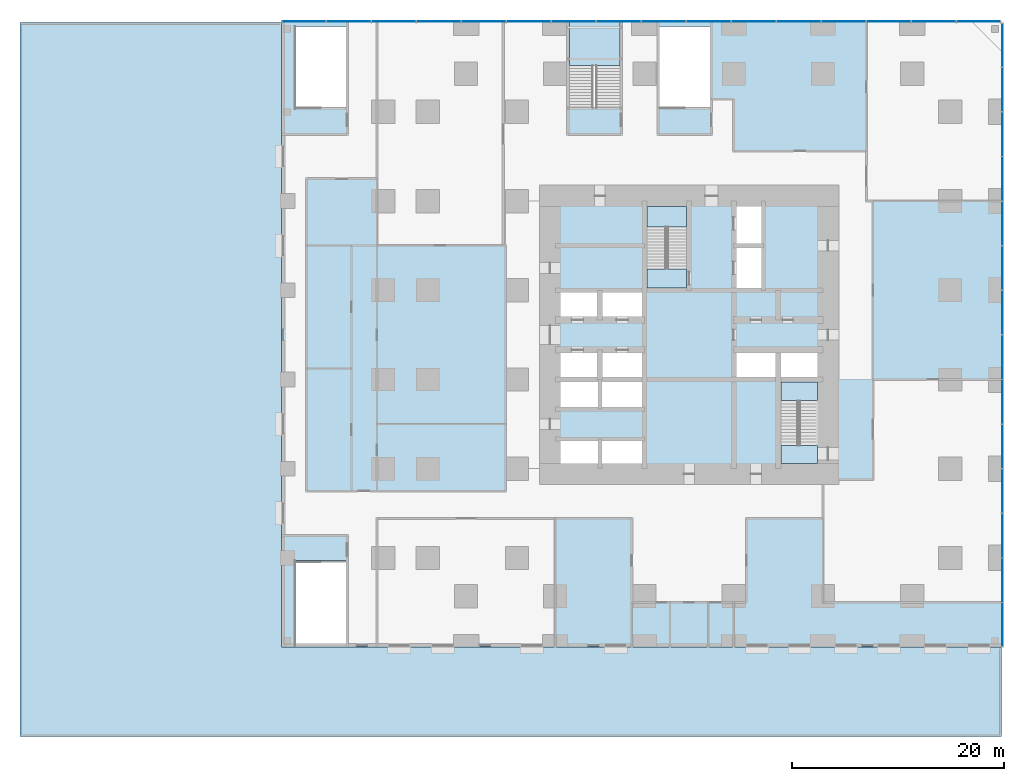
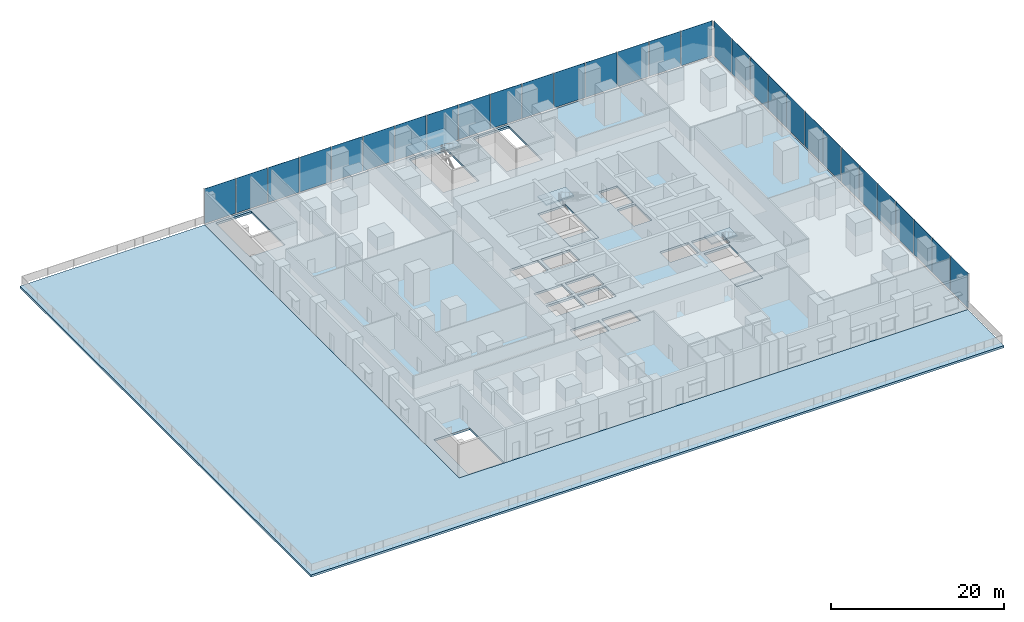
# One storey, part 10 of 18: 30 plates, 7 slabs, 5 elements without a shape of their own.
"""IFC4 building model written with IfcOpenShell, lengths in metres."""

from ifc_helpers import new_model, si_unit, direction, frame, origin, origin_2d, place, context, subcontext, project, spatial, polyline, rectangle, outline, extrude, material, layer, layer_set, type_object, element, aggregate, save


model = new_model("IFC4")

# Units and contexts
model_context = context("Model", 3, precision=1e-05, world=origin(), true_north=direction((0.0, 1.0)))
body_context = subcontext(model_context, "Body", "Model", "MODEL_VIEW")
ifc_project = project(units=[si_unit("LENGTHUNIT", "METRE"), si_unit("AREAUNIT", "SQUARE_METRE"), si_unit("VOLUMEUNIT", "CUBIC_METRE"), si_unit("PLANEANGLEUNIT", "RADIAN"), si_unit("MASSUNIT", "GRAM", prefix="KILO")], contexts=[model_context])

# Site, building, storey
site_placement = place(None, origin())
site = spatial("IfcSite", under=ifc_project, at=site_placement, CompositionType="ELEMENT")
building_placement = place(site_placement, origin())
building = spatial("IfcBuilding", under=site, at=building_placement, Name="Dunama Terrace Hotel", CompositionType="ELEMENT")
storey_placement = place(building_placement, frame((0.0, 0.0, 17.0)))
storey = spatial("IfcBuildingStorey", under=building, at=storey_placement, Name="L03", CompositionType="ELEMENT", Elevation=17.0)

# Curtain wall, plates
ifc_material_1 = material(Name="Aluminium curtain wall system", Category="aluminium")
curtain_wall_type = type_object("IfcCurtainWallType", Name="Podium storefront glazing CW-E", PredefinedType="NOTDEFINED", material=ifc_material_1)
curtain_wall_1_placement = place(storey_placement, origin())
curtain_wall_1 = element("IfcCurtainWall", 1, at=curtain_wall_1_placement, inside=storey, type_object=curtain_wall_type, Name="Podium storefront glazing CW-E L03", PredefinedType="NOTDEFINED")
ifc_material_2 = material(Name="Laminated glass", Category="glass")
ifc_layer_1 = layer(ifc_material_2, 0.033935546875)
ifc_layer_set_1 = layer_set([ifc_layer_1], Name="CWE clear glass panel")
plate_type_1 = type_object("IfcPlateType", Name="CWE clear glass panel", PredefinedType="CURTAIN_PANEL", material=ifc_layer_set_1)
plate_1_placement = place(storey_placement, frame((58.925048828125, 2.1201171875, 0.08984375), z_axis=(0.0, 0.0, 1.0), x_axis=(0.0, 1.0, 0.0)))
plate_1 = element("IfcPlate", 2, at=plate_1_placement, type_object=plate_type_1, Name="CWE clear glass panel", PredefinedType="CURTAIN_PANEL", context=body_context, shape_type="SweptSolid", body=[
    extrude(rectangle(XDim=4.080078125, YDim=0.033935546875, at=origin_2d()), origin(), (0.0, 0.0, 1.0), 4.909912109375),
])
plate_2_placement = place(storey_placement, frame((58.925048828125, 14.699951171875, 0.08984375), z_axis=(0.0, 0.0, 1.0), x_axis=(0.0, 1.0, 0.0)))
plate_2 = element("IfcPlate", 3, at=plate_2_placement, type_object=plate_type_1, Name="CWE clear glass panel", PredefinedType="CURTAIN_PANEL", context=body_context, shape_type="SweptSolid", body=[
    extrude(rectangle(XDim=4.1201171875, YDim=0.033935546875, at=origin_2d()), origin(), (0.0, 0.0, 1.0), 4.909912109375),
])
plate_3_placement = place(storey_placement, frame((58.925048828125, 27.300048828125, 0.08984375), z_axis=(0.0, 0.0, 1.0), x_axis=(0.0, 1.0, 0.0)))
plate_3 = element("IfcPlate", 4, at=plate_3_placement, type_object=plate_type_1, Name="CWE clear glass panel", PredefinedType="CURTAIN_PANEL", context=body_context, shape_type="SweptSolid", body=[
    extrude(rectangle(XDim=4.1201171875, YDim=0.033935546875, at=origin_2d()), origin(), (0.0, 0.0, 1.0), 4.909912109375),
])
plate_4_placement = place(storey_placement, frame((58.925048828125, 39.89990234375, 0.08984375), z_axis=(0.0, 0.0, 1.0), x_axis=(0.0, 1.0, 0.0)))
plate_4 = element("IfcPlate", 5, at=plate_4_placement, type_object=plate_type_1, Name="CWE clear glass panel", PredefinedType="CURTAIN_PANEL", context=body_context, shape_type="SweptSolid", body=[
    extrude(rectangle(XDim=4.1201171875, YDim=0.033935546875, at=origin_2d()), origin(), (0.0, 0.0, 1.0), 4.909912109375),
])
plate_5_placement = place(storey_placement, frame((58.925048828125, 52.5, 0.08984375), z_axis=(0.0, 0.0, 1.0), x_axis=(0.0, 1.0, 0.0)))
plate_5 = element("IfcPlate", 6, at=plate_5_placement, type_object=plate_type_1, Name="CWE clear glass panel", PredefinedType="CURTAIN_PANEL", context=body_context, shape_type="SweptSolid", body=[
    extrude(rectangle(XDim=4.1201171875, YDim=0.033935546875, at=origin_2d()), origin(), (0.0, 0.0, 1.0), 4.909912109375),
])

curtain_wall_2_placement = place(storey_placement, origin())
curtain_wall_2 = element("IfcCurtainWall", 7, at=curtain_wall_2_placement, inside=storey, type_object=curtain_wall_type, Name="Podium storefront glazing CW-E L03", PredefinedType="NOTDEFINED")
plate_6_placement = place(storey_placement, frame((56.660888671875, 58.925048828125, 0.08984375), z_axis=(0.0, 0.0, 1.0), x_axis=(-1.0, 0.0, 0.0)))
plate_6 = element("IfcPlate", 8, at=plate_6_placement, type_object=plate_type_1, Name="CWE clear glass panel", PredefinedType="CURTAIN_PANEL", context=body_context, shape_type="SweptSolid", body=[
    extrude(rectangle(XDim=4.117431640625, YDim=0.033935546875, at=origin_2d()), origin(), (0.0, 0.0, 1.0), 4.909912109375),
])
plate_7_placement = place(storey_placement, frame((43.968994140625, 58.925048828125, 0.08984375), z_axis=(0.0, 0.0, 1.0), x_axis=(-1.0, 0.0, 0.0)))
plate_7 = element("IfcPlate", 9, at=plate_7_placement, type_object=plate_type_1, Name="CWE clear glass panel", PredefinedType="CURTAIN_PANEL", context=body_context, shape_type="SweptSolid", body=[
    extrude(rectangle(XDim=4.157470703125, YDim=0.033935546875, at=origin_2d()), origin(), (0.0, 0.0, 1.0), 4.909912109375),
])
plate_8_placement = place(storey_placement, frame((31.256103515625, 58.925048828125, 0.08984375), z_axis=(0.0, 0.0, 1.0), x_axis=(-1.0, 0.0, 0.0)))
plate_8 = element("IfcPlate", 10, at=plate_8_placement, type_object=plate_type_1, Name="CWE clear glass panel", PredefinedType="CURTAIN_PANEL", context=body_context, shape_type="SweptSolid", body=[
    extrude(rectangle(XDim=4.157470703125, YDim=0.033935546875, at=origin_2d()), origin(), (0.0, 0.0, 1.0), 4.909912109375),
])
plate_9_placement = place(storey_placement, frame((18.5439453125, 58.925048828125, 0.08984375), z_axis=(0.0, 0.0, 1.0), x_axis=(-1.0, 0.0, 0.0)))
plate_9 = element("IfcPlate", 11, at=plate_9_placement, type_object=plate_type_1, Name="CWE clear glass panel", PredefinedType="CURTAIN_PANEL", context=body_context, shape_type="SweptSolid", body=[
    extrude(rectangle(XDim=4.157470703125, YDim=0.033935546875, at=origin_2d()), origin(), (0.0, 0.0, 1.0), 4.909912109375),
])
plate_10_placement = place(storey_placement, frame((5.8310546875, 58.925048828125, 0.08984375), z_axis=(0.0, 0.0, 1.0), x_axis=(-1.0, 0.0, 0.0)))
plate_10 = element("IfcPlate", 12, at=plate_10_placement, type_object=plate_type_1, Name="CWE clear glass panel", PredefinedType="CURTAIN_PANEL", context=body_context, shape_type="SweptSolid", body=[
    extrude(rectangle(XDim=4.157470703125, YDim=0.033935546875, at=origin_2d()), origin(), (0.0, 0.0, 1.0), 4.909912109375),
])
plate_11_placement = place(storey_placement, frame((-6.861083984375, 58.925048828125, 0.08984375), z_axis=(0.0, 0.0, 1.0), x_axis=(-1.0, 0.0, 0.0)))
plate_11 = element("IfcPlate", 13, at=plate_11_placement, type_object=plate_type_1, Name="CWE clear glass panel", PredefinedType="CURTAIN_PANEL", context=body_context, shape_type="SweptSolid", body=[
    extrude(rectangle(XDim=4.117431640625, YDim=0.033935546875, at=origin_2d()), origin(), (0.0, 0.0, 1.0), 4.909912109375),
])

# Plate
ifc_material_3 = material(Name="Fritted laminated glass", Category="glass")
ifc_layer_2 = layer(ifc_material_3, 0.033935546875)
ifc_layer_set_2 = layer_set([ifc_layer_2], Name="CWE fritted glass panel")
plate_type_2 = type_object("IfcPlateType", Name="CWE fritted glass panel", PredefinedType="CURTAIN_PANEL", material=ifc_layer_set_2)
plate_12_placement = place(storey_placement, frame((58.925048828125, 10.5, 0.08984375), z_axis=(0.0, 0.0, 1.0), x_axis=(0.0, 1.0, 0.0)))
plate_12 = element("IfcPlate", 14, at=plate_12_placement, type_object=plate_type_2, Name="CWE fritted glass panel", PredefinedType="CURTAIN_PANEL", context=body_context, shape_type="SweptSolid", body=[
    extrude(rectangle(XDim=4.1201171875, YDim=0.033935546875, at=origin_2d()), origin(), (0.0, 0.0, 1.0), 4.909912109375),
])

plate_13_placement = place(storey_placement, frame((58.925048828125, 23.10009765625, 0.08984375), z_axis=(0.0, 0.0, 1.0), x_axis=(0.0, 1.0, 0.0)))
plate_13 = element("IfcPlate", 15, at=plate_13_placement, type_object=plate_type_2, Name="CWE fritted glass panel", PredefinedType="CURTAIN_PANEL", context=body_context, shape_type="SweptSolid", body=[
    extrude(rectangle(XDim=4.1201171875, YDim=0.033935546875, at=origin_2d()), origin(), (0.0, 0.0, 1.0), 4.909912109375),
])

plate_14_placement = place(storey_placement, frame((58.925048828125, 35.699951171875, 0.08984375), z_axis=(0.0, 0.0, 1.0), x_axis=(0.0, 1.0, 0.0)))
plate_14 = element("IfcPlate", 16, at=plate_14_placement, type_object=plate_type_2, Name="CWE fritted glass panel", PredefinedType="CURTAIN_PANEL", context=body_context, shape_type="SweptSolid", body=[
    extrude(rectangle(XDim=4.1201171875, YDim=0.033935546875, at=origin_2d()), origin(), (0.0, 0.0, 1.0), 4.909912109375),
])

plate_15_placement = place(storey_placement, frame((58.925048828125, 48.300048828125, 0.08984375), z_axis=(0.0, 0.0, 1.0), x_axis=(0.0, 1.0, 0.0)))
plate_15 = element("IfcPlate", 17, at=plate_15_placement, type_object=plate_type_2, Name="CWE fritted glass panel", PredefinedType="CURTAIN_PANEL", context=body_context, shape_type="SweptSolid", body=[
    extrude(rectangle(XDim=4.1201171875, YDim=0.033935546875, at=origin_2d()), origin(), (0.0, 0.0, 1.0), 4.909912109375),
])

plate_16_placement = place(storey_placement, frame((48.2060546875, 58.925048828125, 0.08984375), z_axis=(0.0, 0.0, 1.0), x_axis=(-1.0, 0.0, 0.0)))
plate_16 = element("IfcPlate", 18, at=plate_16_placement, type_object=plate_type_2, Name="CWE fritted glass panel", PredefinedType="CURTAIN_PANEL", context=body_context, shape_type="SweptSolid", body=[
    extrude(rectangle(XDim=4.157470703125, YDim=0.033935546875, at=origin_2d()), origin(), (0.0, 0.0, 1.0), 4.909912109375),
])

plate_17_placement = place(storey_placement, frame((35.493896484375, 58.925048828125, 0.08984375), z_axis=(0.0, 0.0, 1.0), x_axis=(-1.0, 0.0, 0.0)))
plate_17 = element("IfcPlate", 19, at=plate_17_placement, type_object=plate_type_2, Name="CWE fritted glass panel", PredefinedType="CURTAIN_PANEL", context=body_context, shape_type="SweptSolid", body=[
    extrude(rectangle(XDim=4.157470703125, YDim=0.033935546875, at=origin_2d()), origin(), (0.0, 0.0, 1.0), 4.909912109375),
])

plate_18_placement = place(storey_placement, frame((22.781005859375, 58.925048828125, 0.08984375), z_axis=(0.0, 0.0, 1.0), x_axis=(-1.0, 0.0, 0.0)))
plate_18 = element("IfcPlate", 20, at=plate_18_placement, type_object=plate_type_2, Name="CWE fritted glass panel", PredefinedType="CURTAIN_PANEL", context=body_context, shape_type="SweptSolid", body=[
    extrude(rectangle(XDim=4.157470703125, YDim=0.033935546875, at=origin_2d()), origin(), (0.0, 0.0, 1.0), 4.909912109375),
])

plate_19_placement = place(storey_placement, frame((10.069091796875, 58.925048828125, 0.08984375), z_axis=(0.0, 0.0, 1.0), x_axis=(-1.0, 0.0, 0.0)))
plate_19 = element("IfcPlate", 21, at=plate_19_placement, type_object=plate_type_2, Name="CWE fritted glass panel", PredefinedType="CURTAIN_PANEL", context=body_context, shape_type="SweptSolid", body=[
    extrude(rectangle(XDim=4.157470703125, YDim=0.033935546875, at=origin_2d()), origin(), (0.0, 0.0, 1.0), 4.909912109375),
])

plate_20_placement = place(storey_placement, frame((-2.64404296875, 58.925048828125, 0.08984375), z_axis=(0.0, 0.0, 1.0), x_axis=(-1.0, 0.0, 0.0)))
plate_20 = element("IfcPlate", 22, at=plate_20_placement, type_object=plate_type_2, Name="CWE fritted glass panel", PredefinedType="CURTAIN_PANEL", context=body_context, shape_type="SweptSolid", body=[
    extrude(rectangle(XDim=4.157470703125, YDim=0.033935546875, at=origin_2d()), origin(), (0.0, 0.0, 1.0), 4.909912109375),
])

ifc_material_4 = material(Name="Laminated glass", Category="glass")
ifc_layer_3 = layer(ifc_material_4, 0.033935546875)
ifc_layer_set_3 = layer_set([ifc_layer_3], Name="CWE operable glass panel")
plate_type_3 = type_object("IfcPlateType", Name="CWE operable glass panel", PredefinedType="CURTAIN_PANEL", material=ifc_layer_set_3)
plate_21_placement = place(storey_placement, frame((58.925048828125, 6.300048828125, 0.08984375), z_axis=(0.0, 0.0, 1.0), x_axis=(0.0, 1.0, 0.0)))
plate_21 = element("IfcPlate", 23, at=plate_21_placement, type_object=plate_type_3, Name="CWE operable glass panel", PredefinedType="CURTAIN_PANEL", context=body_context, shape_type="SweptSolid", body=[
    extrude(rectangle(XDim=4.1201171875, YDim=0.033935546875, at=origin_2d()), origin(), (0.0, 0.0, 1.0), 4.909912109375),
])

plate_22_placement = place(storey_placement, frame((58.925048828125, 18.89990234375, 0.08984375), z_axis=(0.0, 0.0, 1.0), x_axis=(0.0, 1.0, 0.0)))
plate_22 = element("IfcPlate", 24, at=plate_22_placement, type_object=plate_type_3, Name="CWE operable glass panel", PredefinedType="CURTAIN_PANEL", context=body_context, shape_type="SweptSolid", body=[
    extrude(rectangle(XDim=4.1201171875, YDim=0.033935546875, at=origin_2d()), origin(), (0.0, 0.0, 1.0), 4.909912109375),
])

plate_23_placement = place(storey_placement, frame((58.925048828125, 31.5, 0.08984375), z_axis=(0.0, 0.0, 1.0), x_axis=(0.0, 1.0, 0.0)))
plate_23 = element("IfcPlate", 25, at=plate_23_placement, type_object=plate_type_3, Name="CWE operable glass panel", PredefinedType="CURTAIN_PANEL", context=body_context, shape_type="SweptSolid", body=[
    extrude(rectangle(XDim=4.1201171875, YDim=0.033935546875, at=origin_2d()), origin(), (0.0, 0.0, 1.0), 4.909912109375),
])

plate_24_placement = place(storey_placement, frame((58.925048828125, 44.10009765625, 0.08984375), z_axis=(0.0, 0.0, 1.0), x_axis=(0.0, 1.0, 0.0)))
plate_24 = element("IfcPlate", 26, at=plate_24_placement, type_object=plate_type_3, Name="CWE operable glass panel", PredefinedType="CURTAIN_PANEL", context=body_context, shape_type="SweptSolid", body=[
    extrude(rectangle(XDim=4.1201171875, YDim=0.033935546875, at=origin_2d()), origin(), (0.0, 0.0, 1.0), 4.909912109375),
])

plate_25_placement = place(storey_placement, frame((58.925048828125, 56.679931640625, 0.08984375), z_axis=(0.0, 0.0, 1.0), x_axis=(0.0, 1.0, 0.0)))
plate_25 = element("IfcPlate", 27, at=plate_25_placement, type_object=plate_type_3, Name="CWE operable glass panel", PredefinedType="CURTAIN_PANEL", context=body_context, shape_type="SweptSolid", body=[
    extrude(rectangle(XDim=4.080078125, YDim=0.033935546875, at=origin_2d()), origin(), (0.0, 0.0, 1.0), 4.909912109375),
])

aggregate(curtain_wall_1, [plate_1, plate_21, plate_12, plate_2, plate_22, plate_13, plate_3, plate_23, plate_14, plate_4, plate_24, plate_15, plate_5, plate_25])

plate_26_placement = place(storey_placement, frame((52.444091796875, 58.925048828125, 0.08984375), z_axis=(0.0, 0.0, 1.0), x_axis=(-1.0, 0.0, 0.0)))
plate_26 = element("IfcPlate", 28, at=plate_26_placement, type_object=plate_type_3, Name="CWE operable glass panel", PredefinedType="CURTAIN_PANEL", context=body_context, shape_type="SweptSolid", body=[
    extrude(rectangle(XDim=4.157470703125, YDim=0.033935546875, at=origin_2d()), origin(), (0.0, 0.0, 1.0), 4.909912109375),
])

plate_27_placement = place(storey_placement, frame((39.73095703125, 58.925048828125, 0.08984375), z_axis=(0.0, 0.0, 1.0), x_axis=(-1.0, 0.0, 0.0)))
plate_27 = element("IfcPlate", 29, at=plate_27_placement, type_object=plate_type_3, Name="CWE operable glass panel", PredefinedType="CURTAIN_PANEL", context=body_context, shape_type="SweptSolid", body=[
    extrude(rectangle(XDim=4.157470703125, YDim=0.033935546875, at=origin_2d()), origin(), (0.0, 0.0, 1.0), 4.909912109375),
])

plate_28_placement = place(storey_placement, frame((27.01904296875, 58.925048828125, 0.08984375), z_axis=(0.0, 0.0, 1.0), x_axis=(-1.0, 0.0, 0.0)))
plate_28 = element("IfcPlate", 30, at=plate_28_placement, type_object=plate_type_3, Name="CWE operable glass panel", PredefinedType="CURTAIN_PANEL", context=body_context, shape_type="SweptSolid", body=[
    extrude(rectangle(XDim=4.157470703125, YDim=0.033935546875, at=origin_2d()), origin(), (0.0, 0.0, 1.0), 4.909912109375),
])

plate_29_placement = place(storey_placement, frame((14.305908203125, 58.925048828125, 0.08984375), z_axis=(0.0, 0.0, 1.0), x_axis=(-1.0, 0.0, 0.0)))
plate_29 = element("IfcPlate", 31, at=plate_29_placement, type_object=plate_type_3, Name="CWE operable glass panel", PredefinedType="CURTAIN_PANEL", context=body_context, shape_type="SweptSolid", body=[
    extrude(rectangle(XDim=4.157470703125, YDim=0.033935546875, at=origin_2d()), origin(), (0.0, 0.0, 1.0), 4.909912109375),
])

plate_30_placement = place(storey_placement, frame((1.593994140625, 58.925048828125, 0.08984375), z_axis=(0.0, 0.0, 1.0), x_axis=(-1.0, 0.0, 0.0)))
plate_30 = element("IfcPlate", 32, at=plate_30_placement, type_object=plate_type_3, Name="CWE operable glass panel", PredefinedType="CURTAIN_PANEL", context=body_context, shape_type="SweptSolid", body=[
    extrude(rectangle(XDim=4.157470703125, YDim=0.033935546875, at=origin_2d()), origin(), (0.0, 0.0, 1.0), 4.909912109375),
])

aggregate(curtain_wall_2, [plate_6, plate_26, plate_16, plate_7, plate_27, plate_17, plate_8, plate_28, plate_18, plate_9, plate_29, plate_19, plate_10, plate_30, plate_20, plate_11])

# Slab
ifc_material_5 = material(Name="Concrete C40/50", Category="concrete")
ifc_layer_4 = layer(ifc_material_5, 0.300048828125)
ifc_layer_set_4 = layer_set([ifc_layer_4], Name="Podium slab 300")
slab_type_1 = type_object("IfcSlabType", Name="Podium slab 300", PredefinedType="FLOOR", material=ifc_layer_set_4)
slab_1_placement = place(storey_placement, frame((0.0, 0.0, -0.300048828125)))
element("IfcSlab", 33, at=slab_1_placement, inside=storey, type_object=slab_type_1, Name="Floor slab L03", PredefinedType="FLOOR", context=body_context, shape_type="SweptSolid", body=[
    extrude(outline(polyline([(-9.0, 0.0), (58.800048828125, 0.0), (58.800048828125, 58.800048828125), (-9.0, 58.800048828125), (-9.0, 0.0)]), holes=[polyline([(20.800048828125, 25.39990234375), (20.800048828125, 27.800048828125), (17.0, 27.800048828125), (17.0, 25.39990234375), (20.800048828125, 25.39990234375)]), polyline([(25.0, 25.39990234375), (25.0, 27.800048828125), (21.199951171875, 27.800048828125), (21.199951171875, 25.39990234375), (25.0, 25.39990234375)]), polyline([(20.800048828125, 31.0), (20.800048828125, 33.39990234375), (17.0, 33.39990234375), (17.0, 31.0), (20.800048828125, 31.0)]), polyline([(25.0, 31.0), (25.0, 33.39990234375), (21.199951171875, 33.39990234375), (21.199951171875, 31.0), (25.0, 31.0)]), polyline([(37.60009765625, 25.39990234375), (37.60009765625, 27.800048828125), (33.800048828125, 27.800048828125), (33.800048828125, 25.39990234375), (37.60009765625, 25.39990234375)]), polyline([(41.800048828125, 25.39990234375), (41.800048828125, 27.800048828125), (38.0, 27.800048828125), (38.0, 25.39990234375), (41.800048828125, 25.39990234375)]), polyline([(20.800048828125, 17.0), (20.800048828125, 19.39990234375), (17.0, 19.39990234375), (17.0, 17.0), (20.800048828125, 17.0)]), polyline([(25.0, 17.0), (25.0, 19.39990234375), (21.199951171875, 19.39990234375), (21.199951171875, 17.0), (25.0, 17.0)]), polyline([(20.800048828125, 22.60009765625), (20.800048828125, 25.0), (17.0, 25.0), (17.0, 22.60009765625), (20.800048828125, 22.60009765625)]), polyline([(25.0, 22.60009765625), (25.0, 25.0), (21.199951171875, 25.0), (21.199951171875, 22.60009765625), (25.0, 22.60009765625)]), polyline([(36.199951171875, 38.0), (36.199951171875, 41.800048828125), (33.800048828125, 41.800048828125), (33.800048828125, 38.0), (36.199951171875, 38.0)]), polyline([(36.199951171875, 33.800048828125), (36.199951171875, 37.60009765625), (33.800048828125, 37.60009765625), (33.800048828125, 33.800048828125), (36.199951171875, 33.800048828125)]), polyline([(29.175048828125, 33.824951171875), (29.175048828125, 41.5), (25.425048828125, 41.5), (25.425048828125, 33.824951171875), (29.175048828125, 33.824951171875)]), polyline([(41.5, 17.300048828125), (41.5, 24.97509765625), (38.050048828125, 24.97509765625), (38.050048828125, 17.300048828125), (41.5, 17.300048828125)]), polyline([(-2.925048828125, 50.659912109375), (-2.925048828125, 58.449951171875), (-7.675048828125, 58.449951171875), (-7.675048828125, 50.659912109375), (-2.925048828125, 50.659912109375)]), polyline([(-2.925048828125, 0.125), (-2.925048828125, 8.139892578125), (-7.675048828125, 8.139892578125), (-7.675048828125, 0.125), (-2.925048828125, 0.125)]), polyline([(22.875, 50.659912109375), (22.875, 58.449951171875), (18.125, 58.449951171875), (18.125, 50.659912109375), (22.875, 50.659912109375)]), polyline([(31.375, 50.659912109375), (31.375, 58.449951171875), (26.625, 58.449951171875), (26.625, 50.659912109375), (31.375, 50.659912109375)])]), origin(), (0.0, 0.0, 1.0), 0.300048828125),
])

# Stair, slab
ifc_material_6 = material(Name="Concrete C40/50", Category="concrete")
stair_type_1 = type_object("IfcStairType", Name="Stair P5-5000-2250", PredefinedType="HALF_TURN_STAIR", material=ifc_material_6)
stair_1_placement = place(storey_placement, origin())
stair_1 = element("IfcStair", 34, at=stair_1_placement, inside=storey, type_object=stair_type_1, Name="Stair P5 L03", PredefinedType="HALF_TURN_STAIR")
ifc_material_7 = material(Name="Concrete C40/50", Category="concrete")
ifc_layer_5 = layer(ifc_material_7, 0.25)
ifc_layer_set_5 = layer_set([ifc_layer_5], Name="Podium stair landing 250")
slab_type_2 = type_object("IfcSlabType", Name="Podium stair landing 250", PredefinedType="LANDING", material=ifc_layer_set_5)
slab_2_placement = place(storey_placement, frame((0.0, 0.0, 2.25)))
slab_2 = element("IfcSlab", 35, at=slab_2_placement, type_object=slab_type_2, Name="P5 landing 1, type S11", PredefinedType="LANDING", context=body_context, shape_type="SweptSolid", body=[
    extrude(outline(polyline([(18.125, 54.7451171875), (22.875, 54.7451171875), (22.875, 58.800048828125), (18.125, 58.800048828125), (18.125, 54.7451171875)])), origin(), (0.0, 0.0, 1.0), 0.25),
])
aggregate(stair_1, [slab_2])

# Slab
ifc_material_8 = material(Name="Concrete C40/50", Category="concrete")
ifc_layer_6 = layer(ifc_material_8, 0.300048828125)
ifc_layer_set_6 = layer_set([ifc_layer_6], Name="Podium terrace slab 300")
slab_type_3 = type_object("IfcSlabType", Name="Podium terrace slab 300", PredefinedType="FLOOR", material=ifc_layer_set_6)
slab_3_placement = place(storey_placement, frame((0.0, 0.0, -0.300048828125)))
element("IfcSlab", 36, at=slab_3_placement, inside=storey, type_object=slab_type_3, Name="Planted terrace slab", PredefinedType="FLOOR", context=body_context, shape_type="SweptSolid", body=[
    extrude(outline(polyline([(58.800048828125, -8.39990234375), (-33.60009765625, -8.39990234375), (-33.60009765625, 58.800048828125), (-9.0, 58.800048828125), (-9.0, 0.0), (58.800048828125, 0.0), (58.800048828125, -8.39990234375)])), origin(), (0.0, 0.0, 1.0), 0.300048828125),
])

# Stair, slabs
ifc_material_9 = material(Name="Concrete C40/50", Category="concrete")
stair_type_2 = type_object("IfcStairType", Name="Stair ST1-5000-1800", PredefinedType="HALF_TURN_STAIR", material=ifc_material_9)
stair_2_placement = place(storey_placement, origin())
stair_2 = element("IfcStair", 37, at=stair_2_placement, inside=storey, type_object=stair_type_2, Name="Stair ST1 L03", PredefinedType="HALF_TURN_STAIR")
ifc_material_10 = material(Name="Concrete C40/50", Category="concrete")
ifc_layer_7 = layer(ifc_material_10, 0.199951171875)
ifc_layer_set_7 = layer_set([ifc_layer_7], Name="Stair landing 200")
slab_type_4 = type_object("IfcSlabType", Name="Stair landing 200", PredefinedType="LANDING", material=ifc_layer_set_7)
slab_4_placement = place(storey_placement, frame((0.0, 0.0, -0.199951171875)))
slab_4 = element("IfcSlab", 38, at=slab_4_placement, type_object=slab_type_4, Name="ST1 landing 1, type S10", PredefinedType="LANDING", context=body_context, shape_type="SweptSolid", body=[
    extrude(outline(polyline([(25.425048828125, 33.824951171875), (29.175048828125, 33.824951171875), (29.175048828125, 35.625), (25.425048828125, 35.625), (25.425048828125, 33.824951171875)])), origin(), (0.0, 0.0, 1.0), 0.199951171875),
])
slab_5_placement = place(storey_placement, frame((0.0, 0.0, 2.300048828125)))
slab_5 = element("IfcSlab", 39, at=slab_5_placement, type_object=slab_type_4, Name="ST1 landing 2, type S10", PredefinedType="LANDING", context=body_context, shape_type="SweptSolid", body=[
    extrude(outline(polyline([(25.425048828125, 39.544921875), (29.175048828125, 39.544921875), (29.175048828125, 41.5), (25.425048828125, 41.5), (25.425048828125, 39.544921875)])), origin(), (0.0, 0.0, 1.0), 0.199951171875),
])
aggregate(stair_2, [slab_4, slab_5])

ifc_material_11 = material(Name="Concrete C40/50", Category="concrete")
stair_type_3 = type_object("IfcStairType", Name="Stair ST2-5000-1600", PredefinedType="HALF_TURN_STAIR", material=ifc_material_11)
stair_3_placement = place(storey_placement, origin())
stair_3 = element("IfcStair", 40, at=stair_3_placement, inside=storey, type_object=stair_type_3, Name="Stair ST2 L03", PredefinedType="HALF_TURN_STAIR")
slab_6_placement = place(storey_placement, frame((0.0, 0.0, -0.199951171875)))
slab_6 = element("IfcSlab", 41, at=slab_6_placement, type_object=slab_type_4, Name="ST2 landing 1, type S10", PredefinedType="LANDING", context=body_context, shape_type="SweptSolid", body=[
    extrude(outline(polyline([(38.050048828125, 17.300048828125), (41.5, 17.300048828125), (41.5, 19.0), (38.050048828125, 19.0), (38.050048828125, 17.300048828125)])), origin(), (0.0, 0.0, 1.0), 0.199951171875),
])
slab_7_placement = place(storey_placement, frame((0.0, 0.0, 2.300048828125)))
slab_7 = element("IfcSlab", 42, at=slab_7_placement, type_object=slab_type_4, Name="ST2 landing 2, type S10", PredefinedType="LANDING", context=body_context, shape_type="SweptSolid", body=[
    extrude(outline(polyline([(38.050048828125, 23.199951171875), (41.5, 23.199951171875), (41.5, 24.97509765625), (38.050048828125, 24.97509765625), (38.050048828125, 23.199951171875)])), origin(), (0.0, 0.0, 1.0), 0.199951171875),
])
aggregate(stair_3, [slab_6, slab_7])

save(model, "model.ifc")
